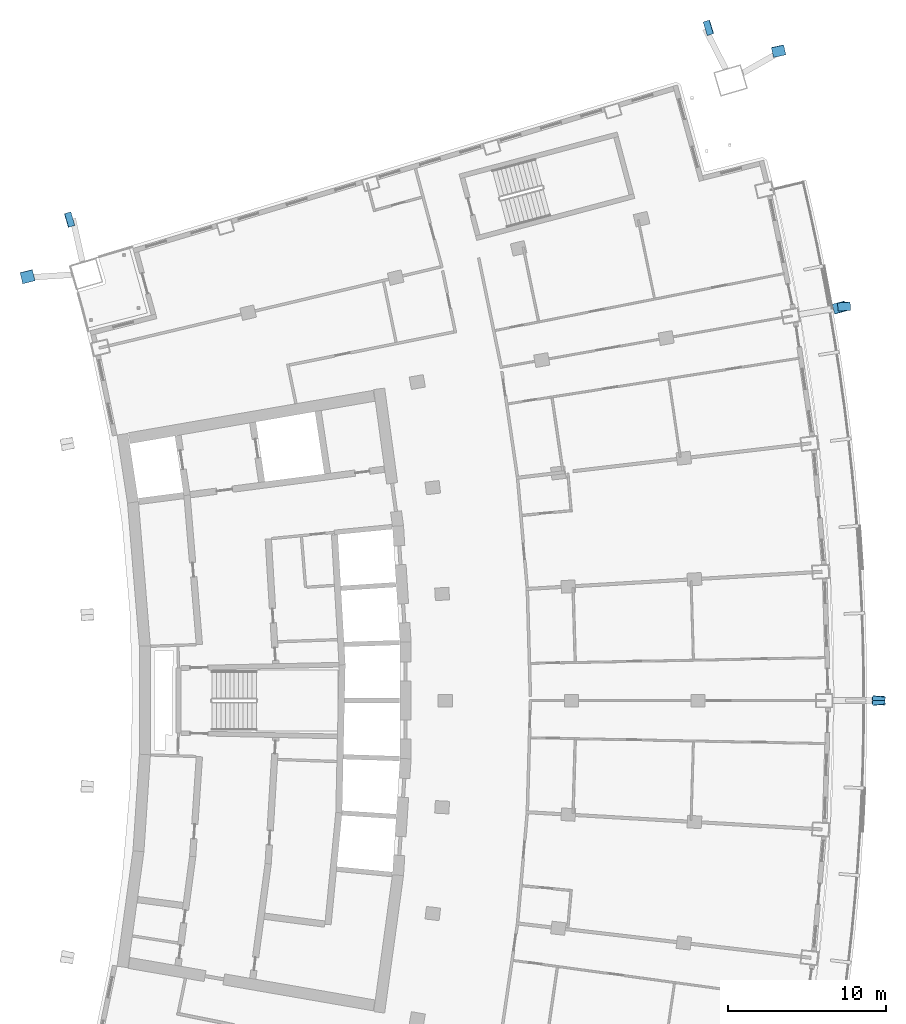
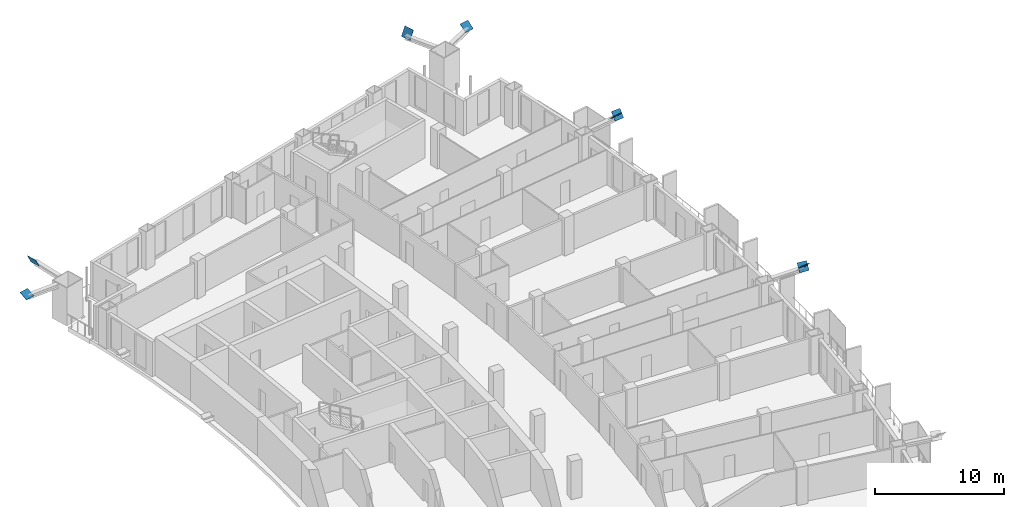
# One storey, part 19 of 22: 8 discrete accessories.
"""IFC4 building model written with IfcOpenShell, lengths in metres."""

from ifc_helpers import new_model, si_unit, direction, frame, origin, origin_2d, place, context, subcontext, project, spatial, rectangle, extrude, material, material_profile, profile_set, type_object, element, save


model = new_model("IFC4")

# Units and contexts
model_context = context("Model", 3, precision=1e-05, world=origin(), true_north=direction((0.0, 1.0)))
body_context = subcontext(model_context, "Body", "Model", "MODEL_VIEW")
ifc_project = project(units=[si_unit("LENGTHUNIT", "METRE"), si_unit("AREAUNIT", "SQUARE_METRE"), si_unit("VOLUMEUNIT", "CUBIC_METRE"), si_unit("PLANEANGLEUNIT", "RADIAN"), si_unit("MASSUNIT", "GRAM", prefix="KILO")], contexts=[model_context])

# Site, building, storey
site_placement = place(None, origin())
site = spatial("IfcSite", under=ifc_project, at=site_placement, CompositionType="ELEMENT")
building_placement = place(site_placement, origin())
building = spatial("IfcBuilding", under=site, at=building_placement, Name="Alderwake Tower", CompositionType="ELEMENT")
storey_placement = place(building_placement, frame((0.0, 0.0, 156.800048828125)))
storey = spatial("IfcBuildingStorey", under=building, at=storey_placement, Name="L38", CompositionType="ELEMENT", Elevation=156.800048828125)

# Discrete accessories
ifc_material_1 = material(Name="Steel ASTM A572 Grade 50", Category="steel")
ifc_material_profile_1 = material_profile(ifc_material_1, rectangle(XDim=0.800048828125, YDim=0.800048828125, at=origin_2d()), Name="BOX 800X800X50 cap")
ifc_profile_set_1 = profile_set([ifc_material_profile_1], Name="Steel ASTM A572 Grade 50")
discrete_accessory_type_1 = type_object("IfcDiscreteAccessoryType", Name="End cap plate BOX 800X800X50", PredefinedType="USERDEFINED", material=ifc_profile_set_1)
for number, where, z_axis, x_axis, name in (
    (1, (63.23583984375, 61.0, 3.599853515625), (0.081247127838, 0.755598288892, -0.649977022703), (-0.994268636888, 0.106910606117, 0.0), "End cap BRF3.2.4B1 S"),
    (2, (63.23583984375, 61.0, 3.599853515625), (0.081247127838, -0.755598288892, -0.649977022703), (0.994268636888, 0.106910606117, 0.0), "End cap BRF3.2.7A S"),
    (3, (61.048095703125, 85.9384765625, 3.599853515625), (-0.048851577584, 0.757199452547, -0.651354367783), (-0.997925308968, -0.064382277998, 0.0), "End cap BRF3.2.7B1 S"),
    (4, (60.7548828125, 85.88671875, 3.599853515625), (0.162553283031, -0.593319483065, -0.788383422702), (0.964458286837, 0.264235147079, 0.0), "End cap BRF3.2.10A S"),
):
    element("IfcDiscreteAccessory", number, at=place(storey_placement, frame(where, z_axis=z_axis, x_axis=x_axis)), inside=storey, type_object=discrete_accessory_type_1, Name=name, ObjectType="END CAP", PredefinedType="USERDEFINED", context=body_context, shape_type="SweptSolid", body=[
        extrude(rectangle(XDim=0.800048828125, YDim=0.800048828125, at=origin_2d()), origin(), (0.0, 0.0, 1.0), 0.030029296875),
    ])
for number, where, z_axis, x_axis, name in (
    (5, (56.9013671875, 102.101806640625, 3.599853515625), (-0.13066558868, 0.596161748353, -0.792160131373), (-0.976812641419, -0.214095921407, 0.0), "End cap BRF3.2.10B1 S"),
    (6, (9.359619140625, 87.828369140625, 3.599853515625), (-0.106646979811, 0.434791533074, -0.894193907642), (-0.971210844098, -0.238221527798, 0.0), "End cap BRR3.2.10B1 S"),
):
    element("IfcDiscreteAccessory", number, at=place(storey_placement, frame(where, z_axis=z_axis, x_axis=x_axis)), inside=storey, type_object=discrete_accessory_type_1, Name=name, ObjectType="END CAP", PredefinedType="USERDEFINED", context=body_context, shape_type="SweptSolid", body=[
        extrude(rectangle(XDim=0.800048828125, YDim=0.800048828125, at=origin_2d()), origin(), (0.0, 0.0, 1.0), 0.02978515625),
    ])
ifc_material_2 = material(Name="Steel ASTM A572 Grade 50", Category="steel")
ifc_material_profile_2 = material_profile(ifc_material_2, rectangle(XDim=0.89990234375, YDim=0.89990234375, at=origin_2d()), Name="BOX 900X900X55 cap")
ifc_profile_set_2 = profile_set([ifc_material_profile_2], Name="Steel ASTM A572 Grade 50")
discrete_accessory_type_2 = type_object("IfcDiscreteAccessoryType", Name="End cap plate BOX 900X900X55", PredefinedType="USERDEFINED", material=ifc_profile_set_2)
discrete_accessory_1_placement = place(storey_placement, frame((12.031005859375, 91.449462890625, 3.599853515625), z_axis=(-0.851629762001, -0.253851179058, -0.458569871847), x_axis=(0.285656661543, -0.958332025822, 0.0)))
element("IfcDiscreteAccessory", 7, at=discrete_accessory_1_placement, inside=storey, type_object=discrete_accessory_type_2, Name="End cap BRN3.2.0A S", ObjectType="END CAP", PredefinedType="USERDEFINED", context=body_context, shape_type="SweptSolid", body=[
    extrude(rectangle(XDim=0.89990234375, YDim=0.89990234375, at=origin_2d()), origin(), (0.0, 0.0, 1.0), 0.02978515625),
])
discrete_accessory_2_placement = place(storey_placement, frame((52.448974609375, 103.583984375, 3.599853515625), z_axis=(0.852083000405, 0.259682438219, -0.454444266882), x_axis=(-0.291524108639, 0.95656348147, 0.0)))
element("IfcDiscreteAccessory", 8, at=discrete_accessory_2_placement, inside=storey, type_object=discrete_accessory_type_2, Name="End cap BRN3.2.0B1 S", ObjectType="END CAP", PredefinedType="USERDEFINED", context=body_context, shape_type="SweptSolid", body=[
    extrude(rectangle(XDim=0.89990234375, YDim=0.89990234375, at=origin_2d()), origin(), (0.0, 0.0, 1.0), 0.030029296875),
])

save(model, "model.ifc")
